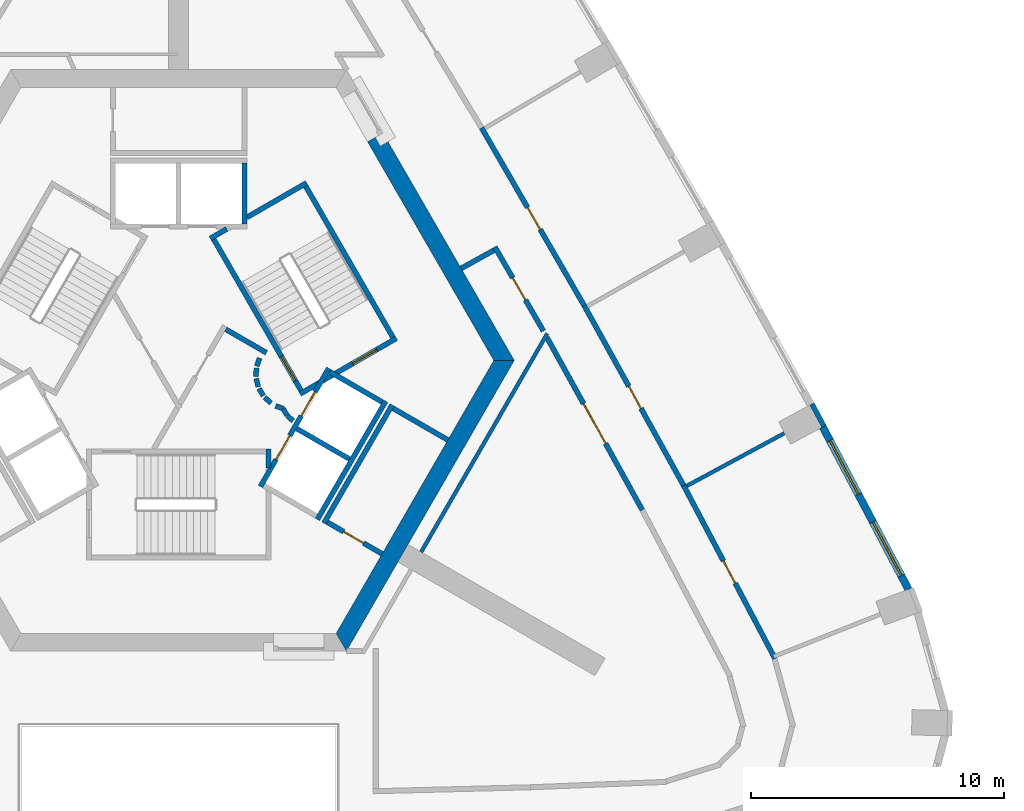
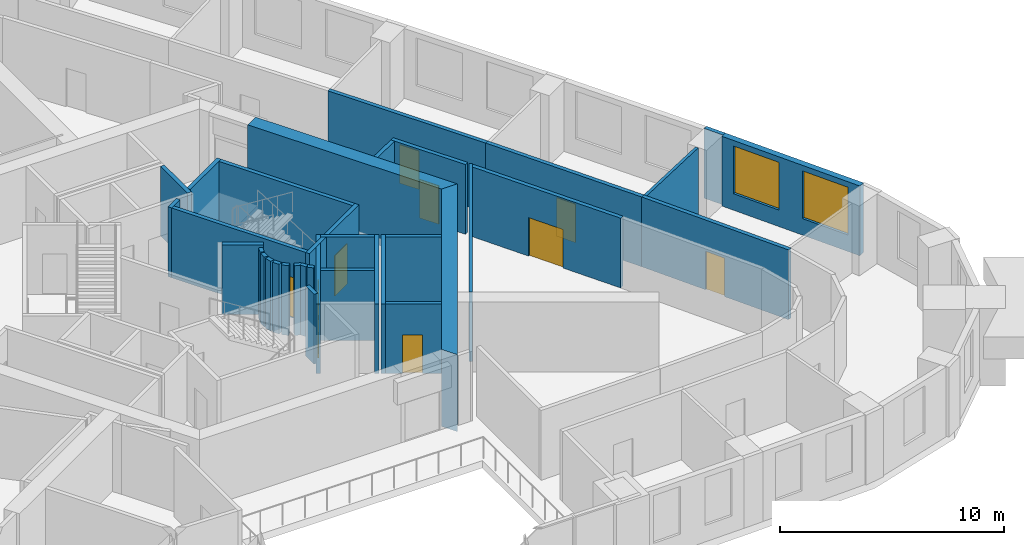
# One storey, part 7 of 13: 35 walls, 10 doors, 2 windows, 12 openings.
"""IFC4 building model written with IfcOpenShell, lengths in metres."""

from ifc_helpers import new_model, si_unit, direction, frame, frame_2d, origin, place, context, subcontext, project, spatial, polyline, rectangle, outline, extrude, material, layer, layer_set, type_object, element, fill, save


model = new_model("IFC4")

# Units and contexts
model_context = context("Model", 3, precision=1e-05, world=origin(), true_north=direction((0.0, 1.0)))
body_context = subcontext(model_context, "Body", "Model", "MODEL_VIEW")
ifc_project = project(units=[si_unit("LENGTHUNIT", "METRE"), si_unit("AREAUNIT", "SQUARE_METRE"), si_unit("VOLUMEUNIT", "CUBIC_METRE"), si_unit("PLANEANGLEUNIT", "RADIAN"), si_unit("MASSUNIT", "GRAM", prefix="KILO")], contexts=[model_context])

# Site, building, storey
site_placement = place(None, origin())
site = spatial("IfcSite", under=ifc_project, at=site_placement, CompositionType="ELEMENT")
building_placement = place(site_placement, origin())
building = spatial("IfcBuilding", under=site, at=building_placement, Name="Entoto Arch Interchange Tower", CompositionType="ELEMENT")
storey_placement = place(building_placement, frame((0.0, 0.0, 210.800048828125)))
storey = spatial("IfcBuildingStorey", under=building, at=storey_placement, Name="L47", CompositionType="ELEMENT", Elevation=210.800048828125)

# Walls
ifc_material_1 = material(Name="Concrete C50/60", Category="concrete")
ifc_layer_1 = layer(ifc_material_1, 0.699951171875)
ifc_layer_set_1 = layer_set([ifc_layer_1], Name="Concrete C50/60")
wall_type_1 = type_object("IfcWallType", Name="Core wall 700 C50/60", PredefinedType="SHEAR", material=ifc_layer_set_1)
wall_1_placement = place(storey_placement, frame((0.0, 0.0, -0.400146484375)))
element("IfcWall", 1, at=wall_1_placement, inside=storey, type_object=wall_type_1, Name="Core wall NE L47", PredefinedType="SHEAR", context=body_context, shape_type="SweptSolid", body=[
    extrude(outline(polyline([(8.083984375, 11.498046875), (7.47802734375, 11.14794921875), (12.470947265625, 2.5), (13.279052734375, 2.5), (8.083984375, 11.498046875)])), origin(), (0.0, 0.0, 1.0), 4.2001953125),
])
wall_2_placement = place(storey_placement, frame((0.0, 0.0, -0.400146484375)))
element("IfcWall", 2, at=wall_2_placement, inside=storey, type_object=wall_type_1, Name="Core wall SE L47", PredefinedType="SHEAR", context=body_context, shape_type="SweptSolid", body=[
    extrude(outline(polyline([(6.639892578125, -9.0), (13.279052734375, 2.5), (12.470947265625, 2.5), (6.235107421875, -8.300048828125), (6.639892578125, -9.0)])), origin(), (0.0, 0.0, 1.0), 4.2001953125),
])
ifc_material_2 = material(Name="Concrete C40/50", Category="concrete")
ifc_layer_2 = layer(ifc_material_2, 0.199951171875)
ifc_layer_set_2 = layer_set([ifc_layer_2], Name="Concrete C40/50")
wall_type_2 = type_object("IfcWallType", Name="LIFT SHAFT WALL 200", PredefinedType="STANDARD", material=ifc_layer_set_2)
wall_3_placement = place(storey_placement, frame((2.60009765625, 7.89990234375, 0.0), z_axis=(0.0, 0.0, 1.0), x_axis=(0.0, 1.0, 0.0)))
element("IfcWall", 3, at=wall_3_placement, inside=storey, type_object=wall_type_2, Name="Shaft wall N1 cross 1", PredefinedType="STANDARD", context=body_context, shape_type="SweptSolid", body=[
    extrude(rectangle(XDim=2.400146484375, YDim=0.199951171875, at=frame_2d((1.2001953125, 0.0))), origin(), (0.0, 0.0, 1.0), 3.800048828125),
])

# Wall, openings, doors
wall_4_placement = place(storey_placement, frame((3.239990234375, -2.488037109375, 0.0), z_axis=(0.0, 0.0, 1.0), x_axis=(0.500034260056, 0.866005622828, 0.0)))
wall_4 = element("IfcWall", 4, at=wall_4_placement, inside=storey, type_object=wall_type_2, Name="Shaft wall SE1 front", PredefinedType="STANDARD", context=body_context, shape_type="SweptSolid", body=[
    extrude(rectangle(XDim=5.3994140625, YDim=0.199951171875, at=frame_2d((2.69970703125, 0.0))), origin(), (0.0, 0.0, 1.0), 3.800048828125),
])
opening_1_placement = place(wall_4_placement, frame((3.22509765625, 0.0, 0.0)))
opening_1 = element("IfcOpeningElement", 5, at=opening_1_placement, cuts=wall_4, Name="Opening LD-HR3-L47", PredefinedType="OPENING", context=body_context, shape_type="SweptSolid", body=[
    extrude(rectangle(XDim=1.10009765625, YDim=2.10009765625, at=frame_2d((0.550048828125, 1.050048828125))), frame((0.0, 0.10986328125, 0.0), z_axis=(0.0, -1.0, 0.0), x_axis=(1.0, 0.0, 0.0)), (0.0, 0.0, 1.0), 0.219970703125),
])
opening_2_placement = place(wall_4_placement, frame((1.22509765625, 0.0, 0.0)))
opening_2 = element("IfcOpeningElement", 6, at=opening_2_placement, cuts=wall_4, Name="Opening LD-FF1-L47", PredefinedType="OPENING", context=body_context, shape_type="SweptSolid", body=[
    extrude(rectangle(XDim=1.10009765625, YDim=2.10009765625, at=frame_2d((0.550048828125, 1.050048828125))), frame((0.0, 0.10986328125, 0.0), z_axis=(0.0, -1.0, 0.0), x_axis=(1.0, 0.0, 0.0)), (0.0, 0.0, 1.0), 0.219970703125),
])
ifc_material_3 = material(Name="Stainless steel 1.4301 panels", Category="steel")
door_type_1 = type_object("IfcDoorType", Name="LIFT LANDING DOOR LD1 1100x2100", OperationType="SLIDING_TO_LEFT", PredefinedType="DOOR", material=ifc_material_3)
door_1_placement = place(opening_1_placement, origin())
door_1 = element("IfcDoor", 7, at=door_1_placement, inside=storey, type_object=door_type_1, Name="Lift landing door HR3 L47", OperationType="SLIDING_TO_LEFT", OverallHeight=2.10009765625, OverallWidth=1.10009765625, PredefinedType="DOOR", context=body_context, shape_type="SweptSolid", body=[
    extrude(rectangle(XDim=1.10009765625, YDim=2.10009765625, at=frame_2d((0.550048828125, 1.050048828125))), frame((0.0, 0.02490234375, 0.0), z_axis=(0.0, -1.0, 0.0), x_axis=(1.0, 0.0, 0.0)), (0.0, 0.0, 1.0), 0.050048828125),
])
fill(opening_1, door_1)
door_2_placement = place(opening_2_placement, origin())
door_2 = element("IfcDoor", 8, at=door_2_placement, inside=storey, type_object=door_type_1, Name="Lift landing door FF1 L47", OperationType="SLIDING_TO_LEFT", OverallHeight=2.10009765625, OverallWidth=1.10009765625, PredefinedType="DOOR", context=body_context, shape_type="SweptSolid", body=[
    extrude(rectangle(XDim=1.10009765625, YDim=2.10009765625, at=frame_2d((0.550048828125, 1.050048828125))), frame((0.0, 0.02490234375, 0.0), z_axis=(0.0, -1.0, 0.0), x_axis=(1.0, 0.0, 0.0)), (0.0, 0.0, 1.0), 0.050048828125),
])
fill(opening_2, door_2)

# Walls
wall_5_placement = place(storey_placement, frame((5.491943359375, -3.7880859375, 0.0), z_axis=(0.0, 0.0, 1.0), x_axis=(0.500034260056, 0.866005622828, 0.0)))
element("IfcWall", 9, at=wall_5_placement, inside=storey, type_object=wall_type_2, Name="Shaft wall SE1 back", PredefinedType="STANDARD", context=body_context, shape_type="SweptSolid", body=[
    extrude(rectangle(XDim=5.3994140625, YDim=0.199951171875, at=frame_2d((2.69970703125, 0.0))), origin(), (0.0, 0.0, 1.0), 3.800048828125),
])
for number, where, z_axis, x_axis, name in (
    (10, (4.677001953125, -0.199951171875, 0.0), (0.0, 0.0, 1.0), (0.865973769406, -0.500089422704, 0.0), "Shaft wall SE1 cross 2"),
    (11, (5.97705078125, 2.052001953125, 0.0), (0.0, 0.0, 1.0), (0.865973769406, -0.500089422704, 0.0), "Shaft wall SE1 cross 3"),
):
    element("IfcWall", number, at=place(storey_placement, frame(where, z_axis=z_axis, x_axis=x_axis)), inside=storey, type_object=wall_type_2, Name=name, PredefinedType="STANDARD", context=body_context, shape_type="SweptSolid", body=[
        extrude(rectangle(XDim=2.3994140625, YDim=0.199951171875, at=frame_2d((1.19970703125, 0.0))), origin(), (0.0, 0.0, 1.0), 3.800048828125),
    ])
ifc_material_4 = material(Name="Gypsum board partition on steel studs", Category="steel")
ifc_layer_3 = layer(ifc_material_4, 0.14990234375)
ifc_layer_set_3 = layer_set([ifc_layer_3], Name="Gypsum board partition on steel studs")
wall_type_3 = type_object("IfcWallType", Name="PARTITION 150", PredefinedType="PARTITIONING", material=ifc_layer_set_3)
wall_6_placement = place(storey_placement, frame((20.10302734375, -2.466064453125, 0.0), z_axis=(0.0, 0.0, 1.0), x_axis=(0.879965969606, 0.475036727354, 0.0)))
element("IfcWall", 12, at=wall_6_placement, inside=storey, type_object=wall_type_3, Name="wall:L47:p112", PredefinedType="PARTITIONING", context=body_context, shape_type="SweptSolid", body=[
    extrude(rectangle(XDim=4.380859375, YDim=0.14990234375, at=frame_2d((2.1904296875, 0.0))), origin(), (0.0, 0.0, 1.0), 3.800048828125),
])
wall_7_placement = place(storey_placement, frame((9.596923828125, -5.0791015625, 0.0), z_axis=(0.0, 0.0, 1.0), x_axis=(0.499962477963, 0.866047066059, 0.0)))
element("IfcWall", 13, at=wall_7_placement, inside=storey, type_object=wall_type_3, Name="wall:L47:p078", PredefinedType="PARTITIONING", context=body_context, shape_type="SweptSolid", body=[
    extrude(rectangle(XDim=9.978759765625, YDim=0.14990234375, at=frame_2d((4.9892578125, 0.0))), origin(), (0.0, 0.0, 1.0), 3.800048828125),
])

# Wall, opening, door
ifc_layer_4 = layer(ifc_material_4, 0.199951171875)
ifc_layer_set_4 = layer_set([ifc_layer_4], Name="Gypsum board partition on steel studs")
wall_type_4 = type_object("IfcWallType", Name="PARTITION 200", PredefinedType="PARTITIONING", material=ifc_layer_set_4)
wall_8_placement = place(storey_placement, frame((14.43310546875, 3.6630859375, 0.0), z_axis=(0.0, 0.0, 1.0), x_axis=(-0.500149526678, 0.865939057303, 0.0)))
wall_8 = element("IfcWall", 14, at=wall_8_placement, inside=storey, type_object=wall_type_4, Name="wall:L47:p003", PredefinedType="PARTITIONING", context=body_context, shape_type="SweptSolid", body=[
    extrude(rectangle(XDim=3.843017578125, YDim=0.199951171875, at=frame_2d((1.92138671875, 0.0))), origin(), (0.0, 0.0, 1.0), 3.800048828125),
])
opening_3_placement = place(wall_8_placement, frame((1.422119140625, 0.0, 0.0)))
opening_3 = element("IfcOpeningElement", 15, at=opening_3_placement, cuts=wall_8, Name="Opening L47-D26", PredefinedType="OPENING", context=body_context, shape_type="SweptSolid", body=[
    extrude(rectangle(XDim=1.0, YDim=2.10009765625, at=frame_2d((0.5, 1.050048828125))), frame((0.0, 0.10986328125, 0.0), z_axis=(0.0, -1.0, 0.0), x_axis=(1.0, 0.0, 0.0)), (0.0, 0.0, 1.0), 0.219970703125),
])
ifc_material_5 = material(Name="Timber door leaf in Steel S235 frame", Category="steel")
door_type_2 = type_object("IfcDoorType", Name="DOOR DS-10 1000x2100", OperationType="SINGLE_SWING_LEFT", PredefinedType="DOOR", material=ifc_material_5)
door_3_placement = place(opening_3_placement, origin())
door_3 = element("IfcDoor", 16, at=door_3_placement, inside=storey, type_object=door_type_2, Name="door:L47:26", OperationType="SINGLE_SWING_RIGHT", OverallHeight=2.10009765625, OverallWidth=1.0, PredefinedType="DOOR", context=body_context, shape_type="SweptSolid", body=[
    extrude(rectangle(XDim=1.0, YDim=2.10009765625, at=frame_2d((0.5, 1.050048828125))), frame((0.0, 0.02490234375, 0.0), z_axis=(0.0, -1.0, 0.0), x_axis=(1.0, 0.0, 0.0)), (0.0, 0.0, 1.0), 0.050048828125),
])
fill(opening_3, door_3)

# Wall
wall_9_placement = place(storey_placement, frame((12.47412109375, 6.85595703125, 0.0), z_axis=(0.0, 0.0, 1.0), x_axis=(-0.875305814696, -0.483569778584, 0.0)))
element("IfcWall", 17, at=wall_9_placement, inside=storey, type_object=wall_type_4, Name="wall:L47:p004", PredefinedType="PARTITIONING", context=body_context, shape_type="SweptSolid", body=[
    extrude(rectangle(XDim=1.480712890625, YDim=0.199951171875, at=frame_2d((0.740234375, 0.0))), origin(), (0.0, 0.0, 1.0), 3.800048828125),
])

# Wall, opening, door
wall_10_placement = place(storey_placement, frame((18.343994140625, -3.4169921875, 0.0), z_axis=(0.0, 0.0, 1.0), x_axis=(-0.483555501116, 0.875313702247, 0.0)))
wall_10 = element("IfcWall", 18, at=wall_10_placement, inside=storey, type_object=wall_type_4, Name="wall:L47:p022", PredefinedType="PARTITIONING", context=body_context, shape_type="SweptSolid", body=[
    extrude(rectangle(XDim=7.800537109375, YDim=0.199951171875, at=frame_2d((3.900390625, 0.0))), origin(), (0.0, 0.0, 1.0), 3.800048828125),
])
opening_4_placement = place(wall_10_placement, frame((3.0, 0.0, 0.0)))
opening_4 = element("IfcOpeningElement", 19, at=opening_4_placement, cuts=wall_10, Name="Opening L47-D16", PredefinedType="OPENING", context=body_context, shape_type="SweptSolid", body=[
    extrude(rectangle(XDim=1.800048828125, YDim=2.10009765625, at=frame_2d((0.89990234375, 1.050048828125))), frame((0.0, 0.10986328125, 0.0), z_axis=(0.0, -1.0, 0.0), x_axis=(1.0, 0.0, 0.0)), (0.0, 0.0, 1.0), 0.219970703125),
])
door_type_3 = type_object("IfcDoorType", Name="DOOR DD-18 1800x2100", OperationType="DOUBLE_DOOR_SINGLE_SWING", PredefinedType="DOOR", material=ifc_material_5)
door_4_placement = place(opening_4_placement, origin())
door_4 = element("IfcDoor", 20, at=door_4_placement, inside=storey, type_object=door_type_3, Name="door:L47:16", OperationType="DOUBLE_DOOR_SINGLE_SWING", OverallHeight=2.10009765625, OverallWidth=1.800048828125, PredefinedType="DOOR", context=body_context, shape_type="SweptSolid", body=[
    extrude(rectangle(XDim=1.800048828125, YDim=2.10009765625, at=frame_2d((0.89990234375, 1.050048828125))), frame((0.0, 0.02490234375, 0.0), z_axis=(0.0, -1.0, 0.0), x_axis=(1.0, 0.0, 0.0)), (0.0, 0.0, 1.0), 0.050048828125),
])
fill(opening_4, door_4)

wall_11_placement = place(storey_placement, frame((19.97998046875, -2.447998046875, 0.0), z_axis=(0.0, 0.0, 1.0), x_axis=(0.466864023915, -0.884329114738, 0.0)))
wall_11 = element("IfcWall", 21, at=wall_11_placement, inside=storey, type_object=wall_type_4, Name="wall:L47:p043", PredefinedType="PARTITIONING", context=body_context, shape_type="SweptSolid", body=[
    extrude(rectangle(XDim=7.74951171875, YDim=0.199951171875, at=frame_2d((3.874755859375, 0.0))), origin(), (0.0, 0.0, 1.0), 3.800048828125),
])
opening_5_placement = place(wall_11_placement, frame((3.375, 0.0, 0.0)))
opening_5 = element("IfcOpeningElement", 22, at=opening_5_placement, cuts=wall_11, Name="Opening L47-D04", PredefinedType="OPENING", context=body_context, shape_type="SweptSolid", body=[
    extrude(rectangle(XDim=1.0, YDim=2.10009765625, at=frame_2d((0.5, 1.050048828125))), frame((0.0, 0.10986328125, 0.0), z_axis=(0.0, -1.0, 0.0), x_axis=(1.0, 0.0, 0.0)), (0.0, 0.0, 1.0), 0.219970703125),
])
door_5_placement = place(opening_5_placement, origin())
door_5 = element("IfcDoor", 23, at=door_5_placement, inside=storey, type_object=door_type_2, Name="door:L47:04", OperationType="SINGLE_SWING_LEFT", OverallHeight=2.10009765625, OverallWidth=1.0, PredefinedType="DOOR", context=body_context, shape_type="SweptSolid", body=[
    extrude(rectangle(XDim=1.0, YDim=2.10009765625, at=frame_2d((0.5, 1.050048828125))), frame((0.0, 0.02490234375, 0.0), z_axis=(0.0, -1.0, 0.0), x_axis=(1.0, 0.0, 0.0)), (0.0, 0.0, 1.0), 0.050048828125),
])
fill(opening_5, door_5)

wall_12_placement = place(storey_placement, frame((16.051025390625, 4.6630859375, 0.0), z_axis=(0.0, 0.0, 1.0), x_axis=(0.483513440344, -0.875336936846, 0.0)))
wall_12 = element("IfcWall", 24, at=wall_12_placement, inside=storey, type_object=wall_type_4, Name="wall:L47:p044", PredefinedType="PARTITIONING", context=body_context, shape_type="SweptSolid", body=[
    extrude(rectangle(XDim=8.123779296875, YDim=0.199951171875, at=frame_2d((4.06201171875, 0.0))), origin(), (0.0, 0.0, 1.0), 3.800048828125),
])
opening_6_placement = place(wall_12_placement, frame((3.636962890625, 0.0, 0.0)))
opening_6 = element("IfcOpeningElement", 25, at=opening_6_placement, cuts=wall_12, Name="Opening L47-D05", PredefinedType="OPENING", context=body_context, shape_type="SweptSolid", body=[
    extrude(rectangle(XDim=1.0, YDim=2.10009765625, at=frame_2d((0.5, 1.050048828125))), frame((0.0, 0.10986328125, 0.0), z_axis=(0.0, -1.0, 0.0), x_axis=(1.0, 0.0, 0.0)), (0.0, 0.0, 1.0), 0.219970703125),
])
door_6_placement = place(opening_6_placement, origin())
door_6 = element("IfcDoor", 26, at=door_6_placement, inside=storey, type_object=door_type_2, Name="door:L47:05", OperationType="SINGLE_SWING_RIGHT", OverallHeight=2.10009765625, OverallWidth=1.0, PredefinedType="DOOR", context=body_context, shape_type="SweptSolid", body=[
    extrude(rectangle(XDim=1.0, YDim=2.10009765625, at=frame_2d((0.5, 1.050048828125))), frame((0.0, 0.02490234375, 0.0), z_axis=(0.0, -1.0, 0.0), x_axis=(1.0, 0.0, 0.0)), (0.0, 0.0, 1.0), 0.050048828125),
])
fill(opening_6, door_6)

wall_13_placement = place(storey_placement, frame((11.987060546875, 11.697998046875, 0.0), z_axis=(0.0, 0.0, 1.0), x_axis=(0.500075329254, -0.865981908051, 0.0)))
wall_13 = element("IfcWall", 27, at=wall_13_placement, inside=storey, type_object=wall_type_4, Name="wall:L47:p045", PredefinedType="PARTITIONING", context=body_context, shape_type="SweptSolid", body=[
    extrude(rectangle(XDim=8.124755859375, YDim=0.199951171875, at=frame_2d((4.0625, 0.0))), origin(), (0.0, 0.0, 1.0), 3.800048828125),
])
opening_7_placement = place(wall_13_placement, frame((3.636962890625, 0.0, 0.0)))
opening_7 = element("IfcOpeningElement", 28, at=opening_7_placement, cuts=wall_13, Name="Opening L47-D06", PredefinedType="OPENING", context=body_context, shape_type="SweptSolid", body=[
    extrude(rectangle(XDim=1.0, YDim=2.10009765625, at=frame_2d((0.5, 1.050048828125))), frame((0.0, 0.10986328125, 0.0), z_axis=(0.0, -1.0, 0.0), x_axis=(1.0, 0.0, 0.0)), (0.0, 0.0, 1.0), 0.219970703125),
])
door_7_placement = place(opening_7_placement, origin())
door_7 = element("IfcDoor", 29, at=door_7_placement, inside=storey, type_object=door_type_2, Name="door:L47:06", OperationType="SINGLE_SWING_RIGHT", OverallHeight=2.10009765625, OverallWidth=1.0, PredefinedType="DOOR", context=body_context, shape_type="SweptSolid", body=[
    extrude(rectangle(XDim=1.0, YDim=2.10009765625, at=frame_2d((0.5, 1.050048828125))), frame((0.0, 0.02490234375, 0.0), z_axis=(0.0, -1.0, 0.0), x_axis=(1.0, 0.0, 0.0)), (0.0, 0.0, 1.0), 0.050048828125),
])
fill(opening_7, door_7)

wall_14_placement = place(storey_placement, frame((8.052978515625, -5.152099609375, 0.0), z_axis=(0.0, 0.0, 1.0), x_axis=(-0.866022959057, 0.500004234368, 0.0)))
wall_14 = element("IfcWall", 30, at=wall_14_placement, inside=storey, type_object=wall_type_4, Name="wall:L47:p069", PredefinedType="PARTITIONING", context=body_context, shape_type="SweptSolid", body=[
    extrude(rectangle(XDim=2.5, YDim=0.199951171875, at=frame_2d((1.25, 0.0))), origin(), (0.0, 0.0, 1.0), 3.800048828125),
])
opening_8_placement = place(wall_14_placement, frame((0.85009765625, 0.0, 0.0)))
opening_8 = element("IfcOpeningElement", 31, at=opening_8_placement, cuts=wall_14, Name="Opening L47-D30", PredefinedType="OPENING", context=body_context, shape_type="SweptSolid", body=[
    extrude(rectangle(XDim=0.89990234375, YDim=2.10009765625, at=frame_2d((0.449951171875, 1.050048828125))), frame((0.0, 0.10986328125, 0.0), z_axis=(0.0, -1.0, 0.0), x_axis=(1.0, 0.0, 0.0)), (0.0, 0.0, 1.0), 0.219970703125),
])
door_type_4 = type_object("IfcDoorType", Name="DOOR DS-09 900x2100", OperationType="SINGLE_SWING_LEFT", PredefinedType="DOOR", material=ifc_material_5)
door_8_placement = place(opening_8_placement, origin())
door_8 = element("IfcDoor", 32, at=door_8_placement, inside=storey, type_object=door_type_4, Name="door:L47:30", OperationType="SINGLE_SWING_LEFT", OverallHeight=2.10009765625, OverallWidth=0.89990234375, PredefinedType="DOOR", context=body_context, shape_type="SweptSolid", body=[
    extrude(rectangle(XDim=0.89990234375, YDim=2.10009765625, at=frame_2d((0.449951171875, 1.050048828125))), frame((0.0, 0.02490234375, 0.0), z_axis=(0.0, -1.0, 0.0), x_axis=(1.0, 0.0, 0.0)), (0.0, 0.0, 1.0), 0.050048828125),
])
fill(opening_8, door_8)

# Walls
wall_15_placement = place(storey_placement, frame((5.7509765625, -3.93798828125, 0.0), z_axis=(0.0, 0.0, 1.0), x_axis=(0.500034260056, 0.866005622828, 0.0)))
element("IfcWall", 33, at=wall_15_placement, inside=storey, type_object=wall_type_4, Name="wall:L47:p070", PredefinedType="PARTITIONING", context=body_context, shape_type="SweptSolid", body=[
    extrude(rectangle(XDim=5.3994140625, YDim=0.199951171875, at=frame_2d((2.69970703125, 0.0))), origin(), (0.0, 0.0, 1.0), 3.800048828125),
])
wall_16_placement = place(storey_placement, frame((8.488037109375, 0.60205078125, 0.0), z_axis=(0.0, 0.0, 1.0), x_axis=(0.866022959057, -0.500004234368, 0.0)))
element("IfcWall", 34, at=wall_16_placement, inside=storey, type_object=wall_type_4, Name="wall:L47:p071", PredefinedType="PARTITIONING", context=body_context, shape_type="SweptSolid", body=[
    extrude(rectangle(XDim=2.5, YDim=0.199951171875, at=frame_2d((1.25, 0.0))), origin(), (0.0, 0.0, 1.0), 3.800048828125),
])
wall_17_placement = place(storey_placement, frame((1.865966796875, 3.73193359375, 0.0), z_axis=(0.0, 0.0, 1.0), x_axis=(0.866043361281, -0.499968895414, 0.0)))
element("IfcWall", 35, at=wall_17_placement, inside=storey, type_object=wall_type_4, Name="wall:L47:p081", PredefinedType="PARTITIONING", context=body_context, shape_type="SweptSolid", body=[
    extrude(rectangle(XDim=1.85791015625, YDim=0.199951171875, at=frame_2d((0.928955078125, 0.0))), origin(), (0.0, 0.0, 1.0), 3.800048828125),
])
wall_18_placement = place(storey_placement, frame((3.2080078125, 2.592041015625, 0.0), z_axis=(0.0, 0.0, 1.0), x_axis=(-0.337388820924, -0.941365382578, 0.0)))
element("IfcWall", 36, at=wall_18_placement, inside=storey, type_object=wall_type_4, Name="wall:L47:p082", PredefinedType="PARTITIONING", context=body_context, shape_type="SweptSolid", body=[
    extrude(rectangle(XDim=0.337890625, YDim=0.199951171875, at=frame_2d((0.1689453125, 0.0))), origin(), (0.0, 0.0, 1.0), 3.800048828125),
])
wall_19_placement = place(storey_placement, frame((3.0791015625, 2.198974609375, 0.0), z_axis=(0.0, 0.0, 1.0), x_axis=(-0.047771483479, -0.998858290933, 0.0)))
element("IfcWall", 37, at=wall_19_placement, inside=storey, type_object=wall_type_4, Name="wall:L47:p083", PredefinedType="PARTITIONING", context=body_context, shape_type="SweptSolid", body=[
    extrude(rectangle(XDim=0.33740234375, YDim=0.199951171875, at=frame_2d((0.168701171875, 0.0))), origin(), (0.0, 0.0, 1.0), 3.800048828125),
])
wall_20_placement = place(storey_placement, frame((3.070068359375, 1.785888671875, 0.0), z_axis=(0.0, 0.0, 1.0), x_axis=(0.242705583207, -0.970099994784, 0.0)))
element("IfcWall", 38, at=wall_20_placement, inside=storey, type_object=wall_type_4, Name="wall:L47:p084", PredefinedType="PARTITIONING", context=body_context, shape_type="SweptSolid", body=[
    extrude(rectangle(XDim=0.337890625, YDim=0.199951171875, at=frame_2d((0.1689453125, 0.0))), origin(), (0.0, 0.0, 1.0), 3.800048828125),
])
for number, where, z_axis, x_axis, name in (
    (39, (3.181884765625, 1.387939453125, 0.0), (0.0, 0.0, 1.0), (0.512474702713, -0.85870232274, 0.0), "wall:L47:p085"),
    (40, (3.404052734375, 1.0390625, 0.0), (0.0, 0.0, 1.0), (0.740267097712, -0.672312891476, 0.0), "wall:L47:p086"),
):
    element("IfcWall", number, at=place(storey_placement, frame(where, z_axis=z_axis, x_axis=x_axis)), inside=storey, type_object=wall_type_4, Name=name, PredefinedType="PARTITIONING", context=body_context, shape_type="SweptSolid", body=[
        extrude(rectangle(XDim=0.337646484375, YDim=0.199951171875, at=frame_2d((0.1689453125, 0.0))), origin(), (0.0, 0.0, 1.0), 3.800048828125),
    ])
wall_21_placement = place(storey_placement, frame((3.837890625, 0.701904296875, 0.0), z_axis=(0.0, 0.0, 1.0), x_axis=(0.941035081519, -0.338308993895, 0.0)))
element("IfcWall", 41, at=wall_21_placement, inside=storey, type_object=wall_type_4, Name="wall:L47:p087", PredefinedType="PARTITIONING", context=body_context, shape_type="SweptSolid", body=[
    extrude(rectangle(XDim=0.3369140625, YDim=0.199951171875, at=frame_2d((0.16845703125, 0.0))), origin(), (0.0, 0.0, 1.0), 3.800048828125),
])
wall_22_placement = place(storey_placement, frame((4.132080078125, 0.593017578125, 0.0), z_axis=(0.0, 0.0, 1.0), x_axis=(0.513561617048, -0.858052717201, 0.0)))
element("IfcWall", 42, at=wall_22_placement, inside=storey, type_object=wall_type_4, Name="wall:L47:p088", PredefinedType="PARTITIONING", context=body_context, shape_type="SweptSolid", body=[
    extrude(rectangle(XDim=0.3076171875, YDim=0.199951171875, at=frame_2d((0.15380859375, 0.0))), origin(), (0.0, 0.0, 1.0), 3.800048828125),
])
wall_23_placement = place(storey_placement, frame((4.301025390625, 0.31494140625, 0.0), z_axis=(0.0, 0.0, 1.0), x_axis=(0.741798017506, -0.670623367639, 0.0)))
element("IfcWall", 43, at=wall_23_placement, inside=storey, type_object=wall_type_4, Name="wall:L47:p089", PredefinedType="PARTITIONING", context=body_context, shape_type="SweptSolid", body=[
    extrude(rectangle(XDim=0.30859375, YDim=0.199951171875, at=frame_2d((0.154296875, 0.0))), origin(), (0.0, 0.0, 1.0), 3.800048828125),
])
ifc_layer_5 = layer(ifc_material_2, 0.199951171875)
ifc_layer_set_5 = layer_set([ifc_layer_5], Name="Concrete C40/50")
wall_type_5 = type_object("IfcWallType", Name="STAIR ENCLOSURE WALL 200", PredefinedType="STANDARD", material=ifc_layer_set_5)
wall_24_placement = place(storey_placement, frame((3.550048828125, -1.0, 0.0), z_axis=(0.0, 0.0, 1.0), x_axis=(0.0, -1.0, 0.0)))
element("IfcWall", 44, at=wall_24_placement, inside=storey, type_object=wall_type_5, Name="Stair wall ST-S far return", PredefinedType="STANDARD", context=body_context, shape_type="SweptSolid", body=[
    extrude(rectangle(XDim=0.7509765625, YDim=0.199951171875, at=frame_2d((0.37548828125, 0.0))), origin(), (0.0, 0.0, 1.0), 3.800048828125),
])

# Wall, opening, door
wall_25_placement = place(storey_placement, frame((4.805908203125, 1.176025390625, 0.0), z_axis=(0.0, 0.0, 1.0), x_axis=(0.866059941101, 0.499940174841, 0.0)))
wall_25 = element("IfcWall", 45, at=wall_25_placement, inside=storey, type_object=wall_type_5, Name="Stair wall ST-NE near", PredefinedType="STANDARD", context=body_context, shape_type="SweptSolid", body=[
    extrude(rectangle(XDim=4.400390625, YDim=0.199951171875, at=frame_2d((2.2001953125, 0.0))), origin(), (0.0, 0.0, 1.0), 3.800048828125),
])
opening_9_placement = place(wall_25_placement, frame((2.39990234375, 0.0, 0.0)))
opening_9 = element("IfcOpeningElement", 46, at=opening_9_placement, cuts=wall_25, Name="Opening SD-ST-NE-L47-E", PredefinedType="OPENING", context=body_context, shape_type="SweptSolid", body=[
    extrude(rectangle(XDim=1.10009765625, YDim=2.199951171875, at=frame_2d((0.550048828125, 1.10009765625))), frame((0.0, 0.10986328125, 0.0), z_axis=(0.0, -1.0, 0.0), x_axis=(1.0, 0.0, 0.0)), (0.0, 0.0, 1.0), 0.219970703125),
])
ifc_material_6 = material(Name="Steel S235", Category="steel")
door_type_5 = type_object("IfcDoorType", Name="STAIR DOOR SD1 1100x2200", OperationType="SINGLE_SWING_LEFT", PredefinedType="DOOR", material=ifc_material_6)
door_9_placement = place(opening_9_placement, origin())
door_9 = element("IfcDoor", 47, at=door_9_placement, inside=storey, type_object=door_type_5, Name="Stair door ST-NE L47 end", OperationType="SINGLE_SWING_LEFT", OverallHeight=2.199951171875, OverallWidth=1.10009765625, PredefinedType="DOOR", context=body_context, shape_type="SweptSolid", body=[
    extrude(rectangle(XDim=1.10009765625, YDim=2.199951171875, at=frame_2d((0.550048828125, 1.10009765625))), frame((0.0, 0.02490234375, 0.0), z_axis=(0.0, -1.0, 0.0), x_axis=(1.0, 0.0, 0.0)), (0.0, 0.0, 1.0), 0.050048828125),
])
fill(opening_9, door_9)

# Walls
wall_26_placement = place(storey_placement, frame((2.699951171875, 8.157958984375, 0.0), z_axis=(0.0, 0.0, 1.0), x_axis=(0.86611865017, 0.499838457731, 0.0)))
element("IfcWall", 48, at=wall_26_placement, inside=storey, type_object=wall_type_5, Name="Stair wall ST-NE far", PredefinedType="STANDARD", context=body_context, shape_type="SweptSolid", body=[
    extrude(rectangle(XDim=2.73291015625, YDim=0.199951171875, at=frame_2d((1.366455078125, 0.0))), origin(), (0.0, 0.0, 1.0), 3.800048828125),
])
wall_27_placement = place(storey_placement, frame((1.256103515625, 7.323974609375, 0.0), z_axis=(0.0, 0.0, 1.0), x_axis=(0.865915093549, 0.500191014278, 0.0)))
element("IfcWall", 49, at=wall_27_placement, inside=storey, type_object=wall_type_5, Name="Stair wall ST-NE far return", PredefinedType="STANDARD", context=body_context, shape_type="SweptSolid", body=[
    extrude(rectangle(XDim=0.751708984375, YDim=0.199951171875, at=frame_2d((0.3759765625, 0.0))), origin(), (0.0, 0.0, 1.0), 3.800048828125),
])

# Wall, opening, door
wall_28_placement = place(storey_placement, frame((4.843017578125, 1.31201171875, 0.0), z_axis=(0.0, 0.0, 1.0), x_axis=(-0.499963383562, 0.866046543262, 0.0)))
wall_28 = element("IfcWall", 50, at=wall_28_placement, inside=storey, type_object=wall_type_5, Name="Stair wall ST-NE hall", PredefinedType="STANDARD", context=body_context, shape_type="SweptSolid", body=[
    extrude(rectangle(XDim=6.900390625, YDim=0.199951171875, at=frame_2d((3.4501953125, 0.0))), origin(), (0.0, 0.0, 1.0), 3.800048828125),
])
opening_10_placement = place(wall_28_placement, frame((0.449951171875, 0.0, 0.0)))
opening_10 = element("IfcOpeningElement", 51, at=opening_10_placement, cuts=wall_28, Name="Opening SD-ST-NE-L47", PredefinedType="OPENING", context=body_context, shape_type="SweptSolid", body=[
    extrude(rectangle(XDim=1.10009765625, YDim=2.199951171875, at=frame_2d((0.550048828125, 1.10009765625))), frame((0.0, 0.10986328125, 0.0), z_axis=(0.0, -1.0, 0.0), x_axis=(1.0, 0.0, 0.0)), (0.0, 0.0, 1.0), 0.219970703125),
])
door_10_placement = place(opening_10_placement, origin())
door_10 = element("IfcDoor", 52, at=door_10_placement, inside=storey, type_object=door_type_5, Name="Stair door ST-NE L47", OperationType="SINGLE_SWING_LEFT", OverallHeight=2.199951171875, OverallWidth=1.10009765625, PredefinedType="DOOR", context=body_context, shape_type="SweptSolid", body=[
    extrude(rectangle(XDim=1.10009765625, YDim=2.199951171875, at=frame_2d((0.550048828125, 1.10009765625))), frame((0.0, 0.02490234375, 0.0), z_axis=(0.0, -1.0, 0.0), x_axis=(1.0, 0.0, 0.0)), (0.0, 0.0, 1.0), 0.050048828125),
])
fill(opening_10, door_10)

# Wall
wall_29_placement = place(storey_placement, frame((8.47998046875, 3.412109375, 0.0), z_axis=(0.0, 0.0, 1.0), x_axis=(-0.499978703459, 0.866037698999, 0.0)))
element("IfcWall", 53, at=wall_29_placement, inside=storey, type_object=wall_type_5, Name="Stair wall ST-NE back", PredefinedType="STANDARD", context=body_context, shape_type="SweptSolid", body=[
    extrude(rectangle(XDim=6.900146484375, YDim=0.199951171875, at=frame_2d((3.4501953125, 0.0))), origin(), (0.0, 0.0, 1.0), 3.800048828125),
])

# Wall, openings, windows
ifc_material_7 = material(Name="Welded tuff (ignimbrite) cladding, warm buff", Category="masonry")
ifc_layer_6 = layer(ifc_material_7, 0.300048828125)
ifc_layer_set_6 = layer_set([ifc_layer_6], Name="Welded tuff (ignimbrite) cladding, warm buff")
wall_type_6 = type_object("IfcWallType", Name="STONE INFILL WALL 300", PredefinedType="STANDARD", material=ifc_layer_set_6)
wall_30_placement = place(storey_placement, frame((28.87890625, -6.55908203125, 0.0), z_axis=(0.0, 0.0, 1.0), x_axis=(-0.466789249342, 0.884368586449, 0.0)))
wall_30 = element("IfcWall", 54, at=wall_30_placement, inside=storey, type_object=wall_type_6, Name="Facade wall NE-01 L47", PredefinedType="STANDARD", context=body_context, shape_type="SweptSolid", body=[
    extrude(rectangle(XDim=7.273193359375, YDim=0.300048828125, at=frame_2d((3.63671875, 0.0))), origin(), (0.0, 0.0, 1.0), 3.800048828125),
])
opening_11_placement = place(wall_30_placement, frame((0.617919921875, 0.0, 0.89990234375)))
opening_11 = element("IfcOpeningElement", 55, at=opening_11_placement, cuts=wall_30, Name="Opening WO-A", PredefinedType="OPENING", context=body_context, shape_type="SweptSolid", body=[
    extrude(rectangle(XDim=2.39990234375, YDim=2.60009765625, at=frame_2d((1.199951171875, 1.300048828125))), frame((0.0, 0.16015625, 0.0), z_axis=(0.0, -1.0, 0.0), x_axis=(1.0, 0.0, 0.0)), (0.0, 0.0, 1.0), 0.320068359375),
])
opening_12_placement = place(wall_30_placement, frame((4.2548828125, 0.0, 0.89990234375)))
opening_12 = element("IfcOpeningElement", 56, at=opening_12_placement, cuts=wall_30, Name="Opening WO-A", PredefinedType="OPENING", context=body_context, shape_type="SweptSolid", body=[
    extrude(rectangle(XDim=2.39990234375, YDim=2.60009765625, at=frame_2d((1.199951171875, 1.300048828125))), frame((0.0, 0.16015625, 0.0), z_axis=(0.0, -1.0, 0.0), x_axis=(1.0, 0.0, 0.0)), (0.0, 0.0, 1.0), 0.320068359375),
])
ifc_material_8 = material(Name="Clear glass, low-e double glazed", Category="glass")
window_type = type_object("IfcWindowType", Name="WINDOW WO-A 2400x2600", PartitioningType="DOUBLE_PANEL_VERTICAL", PredefinedType="WINDOW", material=ifc_material_8)
window_1_placement = place(opening_11_placement, origin())
window_1 = element("IfcWindow", 57, at=window_1_placement, inside=storey, type_object=window_type, Name="Window WO-A NE-01 L47", OverallHeight=2.60009765625, OverallWidth=2.39990234375, PartitioningType="SINGLE_PANEL", PredefinedType="WINDOW", context=body_context, shape_type="SweptSolid", body=[
    extrude(rectangle(XDim=2.39990234375, YDim=2.60009765625, at=frame_2d((1.199951171875, 1.300048828125))), frame((0.0, 0.030029296875, 0.0), z_axis=(0.0, -1.0, 0.0), x_axis=(1.0, 0.0, 0.0)), (0.0, 0.0, 1.0), 0.06005859375),
])
fill(opening_11, window_1)
window_2_placement = place(opening_12_placement, origin())
window_2 = element("IfcWindow", 58, at=window_2_placement, inside=storey, type_object=window_type, Name="Window WO-A NE-01 L47", OverallHeight=2.60009765625, OverallWidth=2.39990234375, PartitioningType="SINGLE_PANEL", PredefinedType="WINDOW", context=body_context, shape_type="SweptSolid", body=[
    extrude(rectangle(XDim=2.39990234375, YDim=2.60009765625, at=frame_2d((1.199951171875, 1.300048828125))), frame((0.0, 0.030029296875, 0.0), z_axis=(0.0, -1.0, 0.0), x_axis=(1.0, 0.0, 0.0)), (0.0, 0.0, 1.0), 0.06005859375),
])
fill(opening_12, window_2)

# Wall
ifc_layer_7 = layer(ifc_material_7, 0.199951171875)
ifc_layer_set_7 = layer_set([ifc_layer_7], Name="Welded tuff (ignimbrite) cladding, warm buff")
wall_type_7 = type_object("IfcWallType", Name="STONE PIER CLADDING 200", PredefinedType="STANDARD", material=ifc_layer_set_7)
wall_31_placement = place(storey_placement, frame((25.531982421875, -0.10302734375, 0.0), z_axis=(0.0, 0.0, 1.0), x_axis=(-0.473663196434, 0.88070606694, 0.0)))
element("IfcWall", 59, at=wall_31_placement, inside=storey, type_object=wall_type_7, Name="Stone pier NE02 L47", PredefinedType="STANDARD", context=body_context, shape_type="SweptSolid", body=[
    extrude(rectangle(XDim=1.00048828125, YDim=0.199951171875, at=frame_2d((0.500244140625, 0.0))), origin(), (0.0, 0.0, 1.0), 3.800048828125),
])

save(model, "model.ifc")
